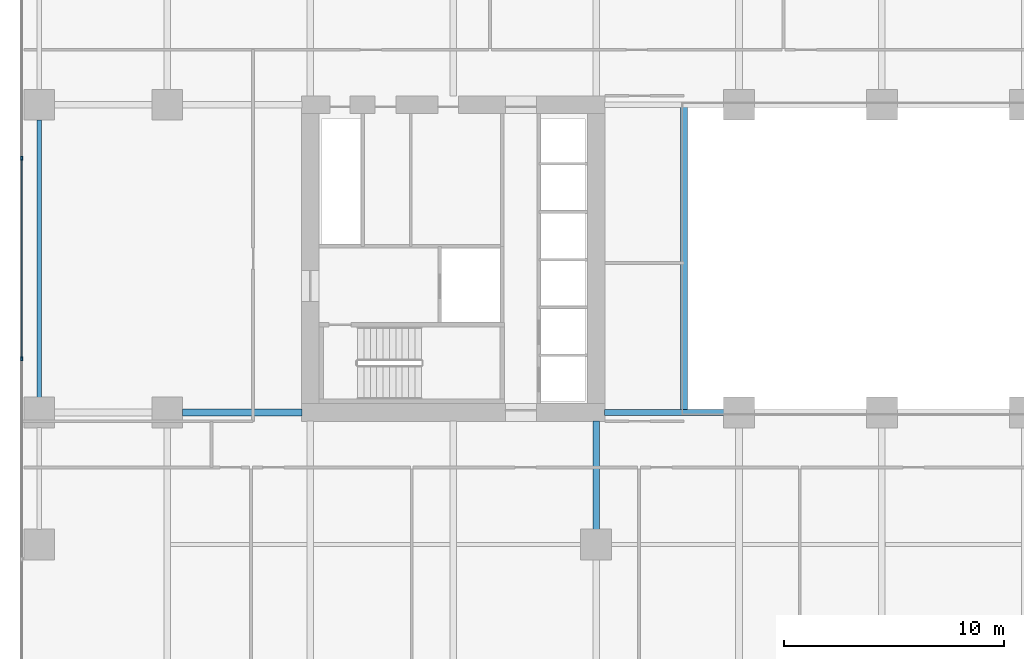
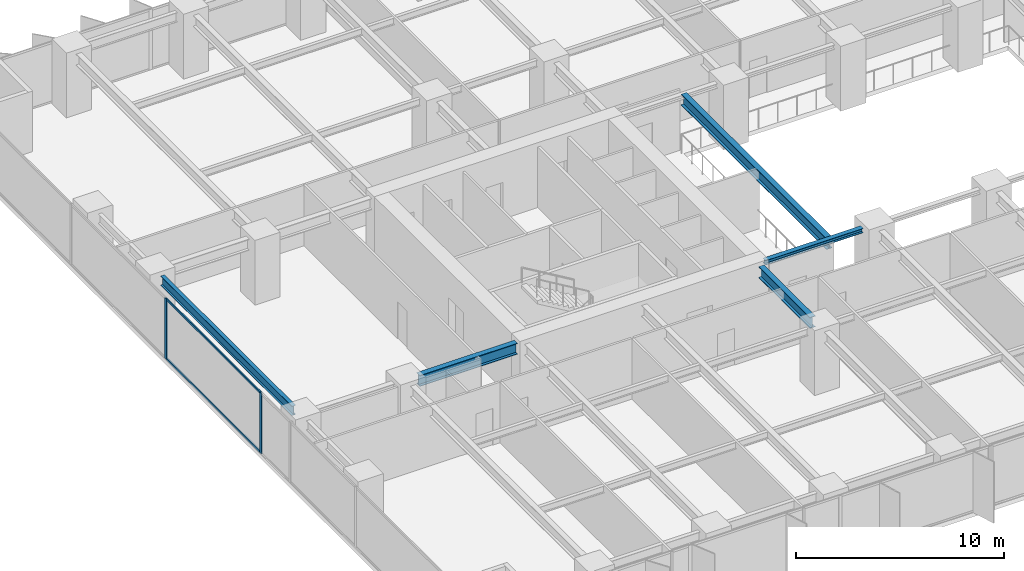
# One storey, part 4 of 20: 5 beams, 4 members, 1 element without a shape of its own.
"""IFC4 building model written with IfcOpenShell, lengths in metres."""

from ifc_helpers import new_model, si_unit, direction, frame, origin, origin_2d, place, context, subcontext, project, spatial, rectangle, i_section, extrude, material, layer, layer_set, material_profile, profile_set, type_object, element, aggregate, save


model = new_model("IFC4")

# Units and contexts
model_context = context("Model", 3, precision=1e-05, world=origin(), true_north=direction((0.0, 1.0)))
body_context = subcontext(model_context, "Body", "Model", "MODEL_VIEW")
ifc_project = project(units=[si_unit("LENGTHUNIT", "METRE"), si_unit("AREAUNIT", "SQUARE_METRE"), si_unit("VOLUMEUNIT", "CUBIC_METRE"), si_unit("PLANEANGLEUNIT", "RADIAN"), si_unit("MASSUNIT", "GRAM", prefix="KILO")], contexts=[model_context])

# Site, building, storey
site_placement = place(None, origin())
site = spatial("IfcSite", under=ifc_project, at=site_placement, CompositionType="ELEMENT")
building_placement = place(site_placement, origin())
building = spatial("IfcBuilding", under=site, at=building_placement, Name="Putna Gate Headquarters", CompositionType="ELEMENT")
storey_placement = place(building_placement, frame((0.0, 0.0, 65.800048828125)))
storey = spatial("IfcBuildingStorey", under=building, at=storey_placement, Name="L15", CompositionType="ELEMENT", Elevation=65.800048828125)

# Beams
ifc_material_1 = material(Name="Steel S355J2", Category="steel")
ifc_material_profile_1 = material_profile(ifc_material_1, i_section(OverallWidth=0.260009765625, OverallDepth=0.260009765625, WebThickness=0.010009765625, FlangeThickness=0.017578125, at=origin_2d()), Name="Steel S355J2")
ifc_profile_set_1 = profile_set([ifc_material_profile_1], Name="Steel S355J2")
beam_type_1 = type_object("IfcBeamType", Name="BM-ATRIUM-HEB260", PredefinedType="BEAM", material=ifc_profile_set_1)
beam_1_placement = place(storey_placement, frame((26.385009765625, 19.0, 3.419921875), z_axis=(1.0, 0.0, 0.0), x_axis=(0.0, 1.0, 0.0)))
element("IfcBeam", 1, at=beam_1_placement, inside=storey, type_object=beam_type_1, Name="L15 Atrium Edge Beam AS1", PredefinedType="BEAM", context=body_context, shape_type="SweptSolid", body=[
    extrude(i_section(OverallWidth=0.260009765625, OverallDepth=0.260009765625, WebThickness=0.010009765625, FlangeThickness=0.017578125, at=origin_2d()), origin(), (0.0, 0.0, 1.0), 5.427001953125),
])
ifc_material_profile_2 = material_profile(ifc_material_1, i_section(OverallWidth=0.300048828125, OverallDepth=0.64990234375, WebThickness=0.01611328125, FlangeThickness=0.031005859375, at=origin_2d()), Name="Steel S355J2")
ifc_profile_set_2 = profile_set([ifc_material_profile_2], Name="Steel S355J2")
beam_type_2 = type_object("IfcBeamType", Name="BM-GIRD-Z1-HEB650", PredefinedType="USERDEFINED", material=ifc_profile_set_2)
beam_2_placement = place(storey_placement, frame((7.18798828125, 19.0, 3.224853515625), z_axis=(1.0, 0.0, 0.0), x_axis=(0.0, 1.0, 0.0)))
element("IfcBeam", 2, at=beam_2_placement, inside=storey, type_object=beam_type_2, Name="L15 West Wing Girder Y19-2", ObjectType="GIRDER", PredefinedType="USERDEFINED", context=body_context, shape_type="SweptSolid", body=[
    extrude(i_section(OverallWidth=0.300048828125, OverallDepth=0.64990234375, WebThickness=0.01611328125, FlangeThickness=0.031005859375, at=origin_2d()), origin(), (0.0, 0.0, 1.0), 5.427001953125),
])
beam_3_placement = place(storey_placement, frame((26.0, 13.68798828125, 3.224853515625), z_axis=(0.0, 1.0, 0.0), x_axis=(-1.0, 0.0, 0.0)))
element("IfcBeam", 3, at=beam_3_placement, inside=storey, type_object=beam_type_2, Name="L15 South Primary Girder X26-2", ObjectType="GIRDER", PredefinedType="USERDEFINED", context=body_context, shape_type="SweptSolid", body=[
    extrude(i_section(OverallWidth=0.300048828125, OverallDepth=0.64990234375, WebThickness=0.01611328125, FlangeThickness=0.031005859375, at=origin_2d()), origin(), (0.0, 0.0, 1.0), 4.927001953125),
])
beam_4_placement = place(storey_placement, frame((30.0, 19.010009765625, 3.224853515625), z_axis=(0.0, 1.0, 0.0), x_axis=(-1.0, 0.0, 0.0)))
element("IfcBeam", 4, at=beam_4_placement, inside=storey, type_object=beam_type_2, Name="L15 Atrium Trim Girder AW", ObjectType="GIRDER", PredefinedType="USERDEFINED", context=body_context, shape_type="SweptSolid", body=[
    extrude(i_section(OverallWidth=0.300048828125, OverallDepth=0.64990234375, WebThickness=0.01611328125, FlangeThickness=0.031005859375, at=origin_2d()), origin(), (0.0, 0.0, 1.0), 13.97998046875),
])
ifc_material_profile_3 = material_profile(ifc_material_1, i_section(OverallWidth=0.2099609375, OverallDepth=0.550048828125, WebThickness=0.010986328125, FlangeThickness=0.01708984375, at=origin_2d()), Name="Steel S355J2")
ifc_profile_set_3 = profile_set([ifc_material_profile_3], Name="Steel S355J2")
beam_type_3 = type_object("IfcBeamType", Name="BM-SPAN-Z1-IPE550", PredefinedType="SPANDREL", material=ifc_profile_set_3)
beam_5_placement = place(storey_placement, frame((0.679931640625, 19.68798828125, 3.27490234375), z_axis=(0.0, 1.0, 0.0), x_axis=(-1.0, 0.0, 0.0)))
element("IfcBeam", 5, at=beam_5_placement, inside=storey, type_object=beam_type_3, Name="L15 W End Spandrel 2", PredefinedType="SPANDREL", context=body_context, shape_type="SweptSolid", body=[
    extrude(i_section(OverallWidth=0.2099609375, OverallDepth=0.550048828125, WebThickness=0.010986328125, FlangeThickness=0.01708984375, at=origin_2d()), origin(), (0.0, 0.0, 1.0), 12.6240234375),
])

# Curtain wall, members
ifc_material_2 = material(Name="Anodised bronze aluminium curtain wall", Category="aluminium")
ifc_layer = layer(ifc_material_2, 0.179931640625)
ifc_layer_set = layer_set([ifc_layer], Name="Anodised bronze aluminium curtain wall")
curtain_wall_type = type_object("IfcCurtainWallType", Name="CW-SYS-Z1", PredefinedType="USERDEFINED", material=ifc_layer_set)
curtain_wall_placement = place(storey_placement, origin())
curtain_wall = element("IfcCurtainWall", 6, at=curtain_wall_placement, inside=storey, type_object=curtain_wall_type, Name="L15 West Curtain Wall", ObjectType="STICK CURTAIN WALL", PredefinedType="USERDEFINED")
ifc_material_3 = material(Name="Anodised bronze aluminium EN AW-6060", Category="aluminium")
ifc_material_profile_4 = material_profile(ifc_material_3, rectangle(XDim=0.070068359375, YDim=0.179931640625, at=origin_2d()), Name="Anodised bronze aluminium EN AW-6060")
ifc_profile_set_4 = profile_set([ifc_material_profile_4], Name="Anodised bronze aluminium EN AW-6060")
member_type_1 = type_object("IfcMemberType", Name="MULL-CWM-1", PredefinedType="MULLION", material=ifc_profile_set_4)
member_1_placement = place(storey_placement, frame((-0.1201171875, 21.43994140625, 0.0), z_axis=(0.0, 0.0, 1.0), x_axis=(-1.0, 0.0, 0.0)))
member_1 = element("IfcMember", 7, at=member_1_placement, type_object=member_type_1, Name="CWS-1 mullion 3", PredefinedType="MULLION", context=body_context, shape_type="SweptSolid", body=[
    extrude(rectangle(XDim=0.070068359375, YDim=0.179931640625, at=origin_2d()), origin(), (0.0, 0.0, 1.0), 3.550048828125),
])
member_2_placement = place(storey_placement, frame((-0.1201171875, 30.56005859375, 0.0), z_axis=(0.0, 0.0, 1.0), x_axis=(-1.0, 0.0, 0.0)))
member_2 = element("IfcMember", 8, at=member_2_placement, type_object=member_type_1, Name="CWS-1 mullion 4", PredefinedType="MULLION", context=body_context, shape_type="SweptSolid", body=[
    extrude(rectangle(XDim=0.070068359375, YDim=0.179931640625, at=origin_2d()), origin(), (0.0, 0.0, 1.0), 3.550048828125),
])
ifc_material_profile_5 = material_profile(ifc_material_3, rectangle(XDim=0.06494140625, YDim=0.1201171875, at=origin_2d()), Name="Anodised bronze aluminium EN AW-6060")
ifc_profile_set_5 = profile_set([ifc_material_profile_5], Name="Anodised bronze aluminium EN AW-6060")
member_type_2 = type_object("IfcMemberType", Name="TRAN-CWT-1", PredefinedType="USERDEFINED", material=ifc_profile_set_5)
member_3_placement = place(storey_placement, frame((-0.1201171875, 21.47509765625, 0.032470703125), z_axis=(0.0, 1.0, 0.0), x_axis=(-1.0, 0.0, 0.0)))
member_3 = element("IfcMember", 9, at=member_3_placement, type_object=member_type_2, Name="CWS-1 transom 3.1", ObjectType="TRANSOM", PredefinedType="USERDEFINED", context=body_context, shape_type="SweptSolid", body=[
    extrude(rectangle(XDim=0.06494140625, YDim=0.1201171875, at=origin_2d()), origin(), (0.0, 0.0, 1.0), 9.0498046875),
])
member_4_placement = place(storey_placement, frame((-0.1201171875, 21.47509765625, 3.517333984375), z_axis=(0.0, 1.0, 0.0), x_axis=(-1.0, 0.0, 0.0)))
member_4 = element("IfcMember", 10, at=member_4_placement, type_object=member_type_2, Name="CWS-1 transom 3.2", ObjectType="TRANSOM", PredefinedType="USERDEFINED", context=body_context, shape_type="SweptSolid", body=[
    extrude(rectangle(XDim=0.06494140625, YDim=0.1201171875, at=origin_2d()), origin(), (0.0, 0.0, 1.0), 9.0498046875),
])
aggregate(curtain_wall, [member_1, member_2, member_3, member_4])

save(model, "model.ifc")
